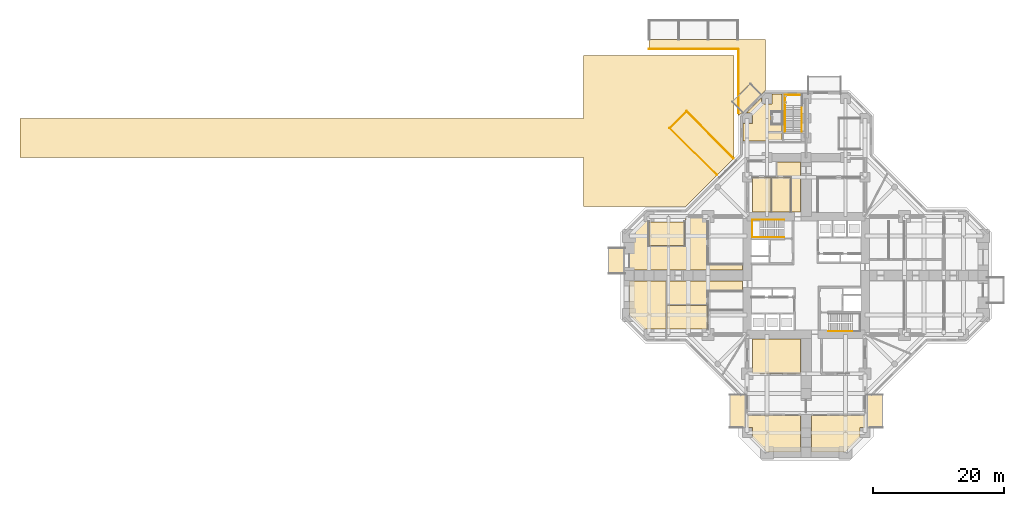
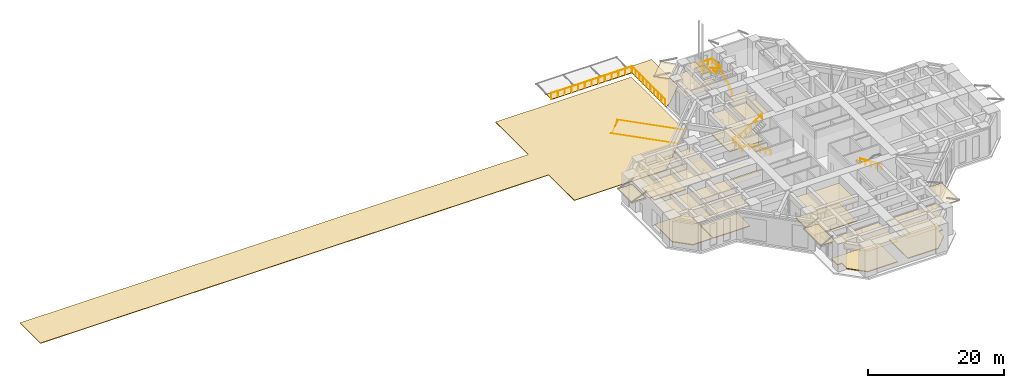
# One storey, part 12 of 14: 30 coverings, 6 railings.
"""IFC4 building model written with IfcOpenShell, lengths in metres."""

import ifcopenshell
import ifcopenshell.guid

model = None  # the IFC model being written
_history = None  # IfcOwnerHistory: only IFC2X3 demands one
_inside = {}  # id of a spatial element -> (the spatial element, [elements in it])
_under = {}  # id of a project, library or spatial element -> (it, [spatial elements below it])
_declared = {}  # id of a project -> (the project, [libraries it declares])
_typed = {}  # id of a type object -> (the type object, [elements of that type])
_made_of = {}  # id of a material, layer set ... -> (it, [elements and type objects made of it])


def new_model(schema):
    """Start an empty IFC model of exactly this schema.

    Asked for "IFC4X3", IfcOpenShell would pick the latest addendum, in which some entities
    have other attributes; the version numbers below select the first issue.
    IFC2X3 requires an IfcOwnerHistory on every rooted entity: one is made here for all.
    """
    global model, _history
    if schema == "IFC4X3":
        model = ifcopenshell.file(schema_version=(4, 3, 0, 0))
    else:
        model = ifcopenshell.file(schema=schema)
    _inside.clear()
    _under.clear()
    _declared.clear()
    _typed.clear()
    _made_of.clear()
    _history = None
    if model.schema == "IFC2X3":
        org = make("IfcOrganization", Name="unknown")
        user = make(
            "IfcPersonAndOrganization",
            ThePerson=make("IfcPerson", FamilyName="unknown"),
            TheOrganization=org,
        )
        app = make(
            "IfcApplication",
            ApplicationDeveloper=org,
            Version="unknown",
            ApplicationFullName="unknown",
            ApplicationIdentifier="unknown",
        )
        _history = make(
            "IfcOwnerHistory",
            OwningUser=user,
            OwningApplication=app,
            ChangeAction="ADDED",
            CreationDate=0,
        )
    return model


def make(cls, **values):
    """One entity of the class cls with the attributes given. An attribute that is None is left unset."""
    return model.create_entity(
        cls, **{name: value for name, value in values.items() if value is not None}
    )


def rooted(cls, **values):
    """An entity with a GlobalId (a new one), such as an element, a storey or a relation."""
    return make(cls, GlobalId=ifcopenshell.guid.new(), OwnerHistory=_history, **values)


def si_unit(unit_type, name, prefix=None):
    """IfcSIUnit, for example si_unit("LENGTHUNIT", "METRE", prefix="MILLI")."""
    return make("IfcSIUnit", UnitType=unit_type, Prefix=prefix, Name=name)


def assignment(units):
    """IfcUnitAssignment: the units of a project."""
    return None if units is None else make("IfcUnitAssignment", Units=units)


def point(xyz):
    """IfcCartesianPoint."""
    return None if xyz is None else make("IfcCartesianPoint", Coordinates=xyz)


def direction(xyz):
    """IfcDirection."""
    return None if xyz is None else make("IfcDirection", DirectionRatios=xyz)


def frame(location, z_axis=None, x_axis=None):
    """IfcAxis2Placement3D, a coordinate frame: its origin and axes. An axis left out is left unset."""
    return make(
        "IfcAxis2Placement3D",
        Location=point(location),
        Axis=direction(z_axis),
        RefDirection=direction(x_axis),
    )


def frame_2d(location, x_axis=None):
    """IfcAxis2Placement2D, a coordinate frame in the plane: its origin and x axis."""
    return make(
        "IfcAxis2Placement2D", Location=point(location), RefDirection=direction(x_axis)
    )


def origin():
    """The frame at (0, 0, 0) with its axes left unset."""
    return frame((0.0, 0.0, 0.0))


def origin_2d():
    """The frame at (0, 0) in the plane with its x axis left unset."""
    return frame_2d((0.0, 0.0))


def place(relative_to, where):
    """IfcLocalPlacement: puts the frame where relative to a parent placement (None: the world)."""
    return make(
        "IfcLocalPlacement", PlacementRelTo=relative_to, RelativePlacement=where
    )


def context(
    kind, dimensions, precision=None, world=None, true_north=None, identifier=None
):
    """IfcGeometricRepresentationContext, for example the 3D "Model" context."""
    return make(
        "IfcGeometricRepresentationContext",
        ContextIdentifier=identifier,
        ContextType=kind,
        CoordinateSpaceDimension=dimensions,
        Precision=precision,
        WorldCoordinateSystem=world,
        TrueNorth=true_north,
    )


def subcontext(parent, identifier, kind, view, scale=None):
    """IfcGeometricRepresentationSubContext, for example "Body" below "Model"."""
    return make(
        "IfcGeometricRepresentationSubContext",
        ContextIdentifier=identifier,
        ContextType=kind,
        ParentContext=parent,
        TargetScale=scale,
        TargetView=view,
    )


def project(units=None, contexts=None):
    """IfcProject with its units and contexts."""
    return rooted(
        "IfcProject",
        Name="project",
        RepresentationContexts=contexts,
        UnitsInContext=assignment(units),
    )


def spatial(cls, under=None, at=None, **own):
    """A site, building, storey or space (cls), placed at a placement, below another one or the project."""
    s = rooted(cls, ObjectPlacement=at, **own)
    if under is not None:
        _under.setdefault(under.id(), (under, []))[1].append(s)
    return s


def polyline(points):
    """IfcPolyline through the points."""
    return make("IfcPolyline", Points=[point(p) for p in points])


def profile(cls, at=None, kind="AREA", **sizes):
    """A parametric profile (cls). Its sizes go by their IFC names, for example OverallWidth=200.0."""
    return make(cls, ProfileType=kind, Position=at, **sizes)


def rectangle(**sizes):
    """IfcRectangleProfileDef."""
    return profile("IfcRectangleProfileDef", **sizes)


def circle(**sizes):
    """IfcCircleProfileDef."""
    return profile("IfcCircleProfileDef", **sizes)


def outline(outer, holes=None, kind="AREA"):
    """IfcArbitraryClosedProfileDef: a profile drawn as a closed curve; with holes, ...WithVoids."""
    if holes is None:
        return make("IfcArbitraryClosedProfileDef", ProfileType=kind, OuterCurve=outer)
    return make(
        "IfcArbitraryProfileDefWithVoids",
        ProfileType=kind,
        OuterCurve=outer,
        InnerCurves=holes,
    )


def extrude(swept, where, along, depth):
    """IfcExtrudedAreaSolid: the profile swept, set in the frame where, extruded along a direction by depth."""
    return make(
        "IfcExtrudedAreaSolid",
        SweptArea=swept,
        Position=where,
        ExtrudedDirection=direction(along),
        Depth=depth,
    )


def shape(context_of_items, identifier, shape_type, items):
    """IfcShapeRepresentation: the items that make up one representation, for example the "Body"."""
    return make(
        "IfcShapeRepresentation",
        ContextOfItems=context_of_items,
        RepresentationIdentifier=identifier,
        RepresentationType=shape_type,
        Items=items,
    )


def material(Name=None, Category=None):
    """IfcMaterial."""
    return make("IfcMaterial", Name=Name, Category=Category)


def layer(
    of_material, thickness, ventilated=None, Name=None, Category=None, Priority=None
):
    """IfcMaterialLayer: one layer of a wall or slab, of a material (None: an air gap)."""
    return make(
        "IfcMaterialLayer",
        Material=of_material,
        LayerThickness=thickness,
        IsVentilated=ventilated,
        Name=Name,
        Category=Category,
        Priority=Priority,
    )


def layer_set(layers, Name=None):
    """IfcMaterialLayerSet."""
    return make("IfcMaterialLayerSet", MaterialLayers=layers, LayerSetName=Name)


def constituent(of_material, Name=None, Category=None, fraction=None):
    """IfcMaterialConstituent: one of the materials an element consists of."""
    return make(
        "IfcMaterialConstituent",
        Name=Name,
        Material=of_material,
        Fraction=fraction,
        Category=Category,
    )


def constituent_set(constituents=None, Name=None):
    """IfcMaterialConstituentSet."""
    return make(
        "IfcMaterialConstituentSet", Name=Name, MaterialConstituents=constituents
    )


def made_of(thing, what):
    """Note that an element or type object is made of a material, layer set ...; save() writes the relation."""
    if what is not None:
        _made_of.setdefault(what.id(), (what, []))[1].append(thing)
    return thing


def type_object(cls, material=None, **own):
    """A type object (cls), such as IfcWallType, which elements share."""
    return made_of(rooted(cls, **own), material)


def element(
    cls,
    number,
    at=None,
    inside=None,
    cuts=None,
    type_object=None,
    material=None,
    context=None,
    identifier="Body",
    shape_type=None,
    held_by="IfcProductDefinitionShape",
    body=None,
    shapes=None,
    **own,
):
    """One element of the class cls, such as IfcWall. Its Tag is "e" and its number.

    at: its placement. inside: the storey or other place that contains it. cuts: it is an
    opening in that element (IfcRelVoidsElement). A single representation is given by context,
    identifier, shape_type and body (its items); several are given by shapes. held_by: the class
    of the entity that holds the representations. save() writes the other relations.
    """
    e = rooted(cls, Tag="e%d" % number, ObjectPlacement=at, **own)
    if body is not None:
        shapes = [shape(context, identifier, shape_type, body)]
    if shapes is not None:
        e.Representation = make(held_by, Representations=shapes)
    if inside is not None:
        _inside.setdefault(inside.id(), (inside, []))[1].append(e)
    if cuts is not None:
        rooted(
            "IfcRelVoidsElement", RelatingBuildingElement=cuts, RelatedOpeningElement=e
        )
    if type_object is not None:
        _typed.setdefault(type_object.id(), (type_object, []))[1].append(e)
    return made_of(e, material)


def aggregate(whole, parts):
    """IfcRelAggregates: a whole, such as a stair, and the parts it consists of."""
    return rooted("IfcRelAggregates", RelatingObject=whole, RelatedObjects=parts)


def save(model, path):
    """Write the relations noted so far, then the file.

    IfcRelAggregates (storeys below a building ...), IfcRelContainedInSpatialStructure (elements
    in a storey), IfcRelDefinesByType, IfcRelAssociatesMaterial and IfcRelDeclares: one each for
    every whole, place, type object, material and project.
    """
    for whole, parts in _under.values():
        aggregate(whole, parts)
    for where, things in _inside.values():
        rooted(
            "IfcRelContainedInSpatialStructure",
            RelatedElements=things,
            RelatingStructure=where,
        )
    for kind, things in _typed.values():
        rooted("IfcRelDefinesByType", RelatedObjects=things, RelatingType=kind)
    for what, things in _made_of.values():
        rooted("IfcRelAssociatesMaterial", RelatedObjects=things, RelatingMaterial=what)
    for by, libraries in _declared.values():
        rooted("IfcRelDeclares", RelatingContext=by, RelatedDefinitions=libraries)
    model.write(path)


model = new_model("IFC4")

# Units and contexts
model_context = context("Model", 3, precision=1e-05, world=origin(), true_north=direction((0.0, 1.0)))
body_context = subcontext(model_context, "Body", "Model", "MODEL_VIEW")
ifc_project = project(units=[si_unit("LENGTHUNIT", "METRE"), si_unit("AREAUNIT", "SQUARE_METRE"), si_unit("VOLUMEUNIT", "CUBIC_METRE"), si_unit("PLANEANGLEUNIT", "RADIAN"), si_unit("MASSUNIT", "GRAM", prefix="KILO")], contexts=[model_context])

# Site, building, storey
site_placement = place(None, origin())
site = spatial("IfcSite", under=ifc_project, at=site_placement, CompositionType="ELEMENT")
building_placement = place(site_placement, origin())
building = spatial("IfcBuilding", under=site, at=building_placement, Name="Torre Cruceta", CompositionType="ELEMENT")
storey_placement = place(building_placement, origin())
storey = spatial("IfcBuildingStorey", under=building, at=storey_placement, Name="L00", CompositionType="ELEMENT", Elevation=0.0)

# Coverings
ifc_material_1 = material(Name="Laminated safety glass", Category="glass")
ifc_layer_1 = layer(ifc_material_1, 0.02001953125)
ifc_layer_set_1 = layer_set([ifc_layer_1], Name="Laminated safety glass")
covering_type_1 = type_object("IfcCoveringType", Name="CANOPY GLASS DECK 20", PredefinedType="ROOFING", material=ifc_layer_set_1)
covering_1_placement = place(storey_placement, frame((-9.06982421875, 27.06982421875, 4.5), z_axis=(0.0, 0.0, 1.0), x_axis=(-0.707106781187, -0.707106781187, 0.0)))
element("IfcCovering", 1, at=covering_1_placement, inside=storey, type_object=covering_type_1, Name="CN3 canopy 2 glass deck", PredefinedType="ROOFING", context=body_context, shape_type="SweptSolid", body=[
    extrude(rectangle(XDim=4.0, YDim=2.39990234375, at=origin_2d()), origin(), (0.0, 0.0, 1.0), 0.02001953125),
])
for number, where, z_axis, x_axis, name in (
    (2, (10.5, -20.699951171875, 4.5), (0.0, 0.0, 1.0), (0.0, -1.0, 0.0), "CN3 canopy 3 glass deck"),
    (3, (-10.5, -20.699951171875, 4.5), (0.0, 0.0, 1.0), (0.0, 1.0, 0.0), "CN3 canopy 4 glass deck"),
):
    element("IfcCovering", number, at=place(storey_placement, frame(where, z_axis=z_axis, x_axis=x_axis)), inside=storey, type_object=covering_type_1, Name=name, PredefinedType="ROOFING", context=body_context, shape_type="SweptSolid", body=[
        extrude(rectangle(XDim=5.10009765625, YDim=2.39990234375, at=origin_2d()), origin(), (0.0, 0.0, 1.0), 0.02001953125),
    ])
covering_2_placement = place(storey_placement, frame((-29.0, 2.25, 4.5), z_axis=(0.0, 0.0, 1.0), x_axis=(0.0, -1.0, 0.0)))
element("IfcCovering", 4, at=covering_2_placement, inside=storey, type_object=covering_type_1, Name="CN3 canopy 6 glass deck", PredefinedType="ROOFING", context=body_context, shape_type="SweptSolid", body=[
    extrude(rectangle(XDim=4.0, YDim=2.39990234375, at=origin_2d()), origin(), (0.0, 0.0, 1.0), 0.02001953125),
])

# Railing
ifc_material_2 = material(Name="Steel S275", Category="steel")
railing_type_1 = type_object("IfcRailingType", Name="DROP-OFF GUARD 1100", PredefinedType="GUARDRAIL", material=ifc_material_2)
railing_1_placement = place(storey_placement, frame((-24.0, 34.550048828125, 0.0)))
element("IfcRailing", 5, at=railing_1_placement, inside=storey, type_object=railing_type_1, Name="School drop-off guard GR3 1", PredefinedType="GUARDRAIL", context=body_context, shape_type="SweptSolid", body=[
    extrude(circle(Radius=0.02392578125, at=origin_2d()), frame((0.0, 0.0, 1.076171875), z_axis=(1.0, 0.0, 0.0), x_axis=(0.0, 1.0, 0.0)), (0.0, 0.0, 1.0), 13.64990234375),
    extrude(circle(Radius=0.02392578125, at=origin_2d()), frame((13.64990234375, 0.0, 1.076171875), z_axis=(0.0, -1.0, 0.0), x_axis=(1.0, 0.0, 0.0)), (0.0, 0.0, 1.0), 9.75),
    extrude(circle(Radius=0.02099609375, at=origin_2d()), origin(), (0.0, 0.0, 1.0), 1.052001953125),
    extrude(circle(Radius=0.02099609375, at=origin_2d()), frame((1.137451171875, 0.0, 0.0)), (0.0, 0.0, 1.0), 1.052001953125),
    extrude(circle(Radius=0.02099609375, at=origin_2d()), frame((2.27490234375, 0.0, 0.0)), (0.0, 0.0, 1.0), 1.052001953125),
    extrude(circle(Radius=0.02099609375, at=origin_2d()), frame((3.41259765625, 0.0, 0.0)), (0.0, 0.0, 1.0), 1.052001953125),
    extrude(circle(Radius=0.02099609375, at=origin_2d()), frame((4.550048828125, 0.0, 0.0)), (0.0, 0.0, 1.0), 1.052001953125),
    extrude(circle(Radius=0.02099609375, at=origin_2d()), frame((5.6875, 0.0, 0.0)), (0.0, 0.0, 1.0), 1.052001953125),
    extrude(circle(Radius=0.02099609375, at=origin_2d()), frame((6.824951171875, 0.0, 0.0)), (0.0, 0.0, 1.0), 1.052001953125),
    extrude(circle(Radius=0.02099609375, at=origin_2d()), frame((7.96240234375, 0.0, 0.0)), (0.0, 0.0, 1.0), 1.052001953125),
    extrude(circle(Radius=0.02099609375, at=origin_2d()), frame((9.099853515625, 0.0, 0.0)), (0.0, 0.0, 1.0), 1.052001953125),
    extrude(circle(Radius=0.02099609375, at=origin_2d()), frame((10.2373046875, 0.0, 0.0)), (0.0, 0.0, 1.0), 1.052001953125),
    extrude(circle(Radius=0.02099609375, at=origin_2d()), frame((11.375, 0.0, 0.0)), (0.0, 0.0, 1.0), 1.052001953125),
    extrude(circle(Radius=0.02099609375, at=origin_2d()), frame((12.512451171875, 0.0, 0.0)), (0.0, 0.0, 1.0), 1.052001953125),
    extrude(circle(Radius=0.02099609375, at=origin_2d()), frame((13.64990234375, 0.0, 0.0)), (0.0, 0.0, 1.0), 1.052001953125),
    extrude(circle(Radius=0.02099609375, at=origin_2d()), frame((13.64990234375, -1.083251953125, 0.0)), (0.0, 0.0, 1.0), 1.052001953125),
    extrude(circle(Radius=0.02099609375, at=origin_2d()), frame((13.64990234375, -2.166748046875, 0.0)), (0.0, 0.0, 1.0), 1.052001953125),
    extrude(circle(Radius=0.02099609375, at=origin_2d()), frame((13.64990234375, -3.25, 0.0)), (0.0, 0.0, 1.0), 1.052001953125),
    extrude(circle(Radius=0.02099609375, at=origin_2d()), frame((13.64990234375, -4.333251953125, 0.0)), (0.0, 0.0, 1.0), 1.052001953125),
    extrude(circle(Radius=0.02099609375, at=origin_2d()), frame((13.64990234375, -5.416748046875, 0.0)), (0.0, 0.0, 1.0), 1.052001953125),
    extrude(circle(Radius=0.02099609375, at=origin_2d()), frame((13.64990234375, -6.5, 0.0)), (0.0, 0.0, 1.0), 1.052001953125),
    extrude(circle(Radius=0.02099609375, at=origin_2d()), frame((13.64990234375, -7.583251953125, 0.0)), (0.0, 0.0, 1.0), 1.052001953125),
    extrude(circle(Radius=0.02099609375, at=origin_2d()), frame((13.64990234375, -8.666748046875, 0.0)), (0.0, 0.0, 1.0), 1.052001953125),
    extrude(circle(Radius=0.02099609375, at=origin_2d()), frame((13.64990234375, -9.75, 0.0)), (0.0, 0.0, 1.0), 1.052001953125),
])

# Coverings
ifc_material_3 = material(Name="Concrete block paving", Category="concrete")
ifc_layer_2 = layer(ifc_material_3, 0.10009765625)
ifc_layer_set_2 = layer_set([ifc_layer_2], Name="Concrete block paving")
covering_type_2 = type_object("IfcCoveringType", Name="EXTERNAL PAVING 100", PredefinedType="USERDEFINED", material=ifc_layer_set_2)
covering_3_placement = place(storey_placement, frame((0.0, 0.0, -0.10009765625)))
element("IfcCovering", 6, at=covering_3_placement, inside=storey, type_object=covering_type_2, Name="School drop-off footpath", ObjectType="PAVING", PredefinedType="USERDEFINED", context=body_context, shape_type="SweptSolid", body=[
    extrude(outline(polyline([(-9.281982421875, 25.16064453125), (-7.16064453125, 27.281982421875), (-6.199951171875, 28.25), (-6.199951171875, 36.0), (-24.0, 36.0), (-24.0, 34.5), (-10.39990234375, 34.5), (-10.39990234375, 24.39990234375), (-9.281982421875, 25.16064453125)])), origin(), (0.0, 0.0, 1.0), 0.10009765625),
])
covering_4_placement = place(storey_placement, frame((0.0, 0.0, -0.10009765625)))
element("IfcCovering", 7, at=covering_4_placement, inside=storey, type_object=covering_type_2, Name="Loading bay paving", ObjectType="PAVING", PredefinedType="USERDEFINED", context=body_context, shape_type="SweptSolid", body=[
    extrude(outline(polyline([(-11.039306640625, 17.898193359375), (-13.655517578125, 15.281982421875), (-20.8681640625, 22.494384765625), (-18.251708984375, 25.110595703125), (-11.039306640625, 17.898193359375)])), origin(), (0.0, 0.0, 1.0), 0.10009765625),
])
covering_5_placement = place(storey_placement, frame((0.0, 0.0, -0.10009765625)))
element("IfcCovering", 8, at=covering_5_placement, inside=storey, type_object=covering_type_2, Name="Service yard and road from the west avenue", ObjectType="PAVING", PredefinedType="USERDEFINED", context=body_context, shape_type="SweptSolid", body=[
    extrude(outline(polyline([(-11.0, 17.92333984375), (-18.42333984375, 10.5), (-34.0, 10.5), (-34.0, 18.0), (-120.0, 18.0), (-120.0, 24.0), (-34.0, 24.0), (-34.0, 33.60009765625), (-11.0, 33.60009765625), (-11.0, 17.92333984375)])), origin(), (0.0, 0.0, 1.0), 0.10009765625),
])

# Railings
ifc_material_4 = material(Name="Stainless steel 1.4401", Category="steel")
railing_type_2 = type_object("IfcRailingType", Name="HANDRAIL 900", PredefinedType="HANDRAIL", material=ifc_material_4)
railing_2_placement = place(storey_placement, frame((-3.39990234375, 5.8349609375, 0.178466796875)))
element("IfcRailing", 9, at=railing_2_placement, inside=storey, type_object=railing_type_2, Name="Handrail HR1 ST1 L00", PredefinedType="HANDRAIL", context=body_context, shape_type="SweptSolid", body=[
    extrude(circle(Radius=0.02392578125, at=origin_2d()), frame((0.0, 0.0, 0.8759765625), z_axis=(-0.843127859045, 0.0, 0.537713132908), x_axis=(0.0, -1.0, 0.0)), (0.0, 0.0, 1.0), 4.3173828125),
    extrude(circle(Radius=0.02392578125, at=origin_2d()), frame((-3.64013671875, 0.0, 3.197265625), z_axis=(-1.0, 0.0, 0.0), x_axis=(0.0, -1.0, 0.0)), (0.0, 0.0, 1.0), 1.199951171875),
    extrude(circle(Radius=0.02392578125, at=origin_2d()), frame((-4.840087890625, 0.0, 3.197265625), z_axis=(0.0, 1.0, 0.0), x_axis=(-1.0, 0.0, 0.0)), (0.0, 0.0, 1.0), 2.679931640625),
    extrude(circle(Radius=0.02392578125, at=origin_2d()), frame((-4.840087890625, 2.679931640625, 3.197265625), z_axis=(1.0, 0.0, 0.0), x_axis=(0.0, 1.0, 0.0)), (0.0, 0.0, 1.0), 1.199951171875),
    extrude(circle(Radius=0.02099609375, at=origin_2d()), origin(), (0.0, 0.0, 1.0), 0.851806640625),
    extrude(circle(Radius=0.02099609375, at=origin_2d()), frame((-0.91015625, 0.0, 0.580322265625)), (0.0, 0.0, 1.0), 0.851806640625),
    extrude(circle(Radius=0.02099609375, at=origin_2d()), frame((-1.820068359375, 0.0, 1.16064453125)), (0.0, 0.0, 1.0), 0.851806640625),
    extrude(circle(Radius=0.02099609375, at=origin_2d()), frame((-2.72998046875, 0.0, 1.7412109375)), (0.0, 0.0, 1.0), 0.851806640625),
    extrude(circle(Radius=0.02099609375, at=origin_2d()), frame((-3.64013671875, 0.0, 2.321533203125)), (0.0, 0.0, 1.0), 0.851806640625),
    extrude(circle(Radius=0.02099609375, at=origin_2d()), frame((-4.840087890625, 0.0, 2.321533203125)), (0.0, 0.0, 1.0), 0.851806640625),
    extrude(circle(Radius=0.02099609375, at=origin_2d()), frame((-4.840087890625, 0.893310546875, 2.321533203125)), (0.0, 0.0, 1.0), 0.851806640625),
    extrude(circle(Radius=0.02099609375, at=origin_2d()), frame((-4.840087890625, 1.78662109375, 2.321533203125)), (0.0, 0.0, 1.0), 0.851806640625),
    extrude(circle(Radius=0.02099609375, at=origin_2d()), frame((-4.840087890625, 2.679931640625, 2.321533203125)), (0.0, 0.0, 1.0), 0.851806640625),
    extrude(circle(Radius=0.02099609375, at=origin_2d()), frame((-3.64013671875, 2.679931640625, 2.321533203125)), (0.0, 0.0, 1.0), 0.851806640625),
])
railing_3_placement = place(storey_placement, frame((-7.0400390625, 8.514892578125, 2.678466796875)))
element("IfcRailing", 10, at=railing_3_placement, inside=storey, type_object=railing_type_2, Name="Handrail HR1 ST1 L00", PredefinedType="HANDRAIL", context=body_context, shape_type="SweptSolid", body=[
    extrude(circle(Radius=0.02392578125, at=origin_2d()), frame((0.0, 0.0, 0.8759765625), z_axis=(0.843127859045, 0.0, 0.537713132908), x_axis=(0.0, 1.0, 0.0)), (0.0, 0.0, 1.0), 4.3173828125),
    extrude(circle(Radius=0.02099609375, at=origin_2d()), origin(), (0.0, 0.0, 1.0), 0.851806640625),
    extrude(circle(Radius=0.02099609375, at=origin_2d()), frame((0.91015625, 0.0, 0.580322265625)), (0.0, 0.0, 1.0), 0.851806640625),
    extrude(circle(Radius=0.02099609375, at=origin_2d()), frame((1.820068359375, 0.0, 1.16064453125)), (0.0, 0.0, 1.0), 0.851806640625),
    extrude(circle(Radius=0.02099609375, at=origin_2d()), frame((2.72998046875, 0.0, 1.7412109375)), (0.0, 0.0, 1.0), 0.851806640625),
    extrude(circle(Radius=0.02099609375, at=origin_2d()), frame((3.64013671875, 0.0, 2.321533203125)), (0.0, 0.0, 1.0), 0.851806640625),
])
railing_4_placement = place(storey_placement, frame((7.0400390625, -8.514892578125, 2.678466796875)))
element("IfcRailing", 11, at=railing_4_placement, inside=storey, type_object=railing_type_2, Name="Handrail HR1 ST2 L00", PredefinedType="HANDRAIL", context=body_context, shape_type="SweptSolid", body=[
    extrude(circle(Radius=0.02392578125, at=origin_2d()), frame((0.0, 0.0, 0.8759765625), z_axis=(-0.843127859045, 0.0, 0.537713132908), x_axis=(0.0, -1.0, 0.0)), (0.0, 0.0, 1.0), 4.3173828125),
    extrude(circle(Radius=0.02099609375, at=origin_2d()), origin(), (0.0, 0.0, 1.0), 0.851806640625),
    extrude(circle(Radius=0.02099609375, at=origin_2d()), frame((-0.91015625, 0.0, 0.580322265625)), (0.0, 0.0, 1.0), 0.851806640625),
    extrude(circle(Radius=0.02099609375, at=origin_2d()), frame((-1.820068359375, 0.0, 1.16064453125)), (0.0, 0.0, 1.0), 0.851806640625),
    extrude(circle(Radius=0.02099609375, at=origin_2d()), frame((-2.72998046875, 0.0, 1.7412109375)), (0.0, 0.0, 1.0), 0.851806640625),
    extrude(circle(Radius=0.02099609375, at=origin_2d()), frame((-3.64013671875, 0.0, 2.321533203125)), (0.0, 0.0, 1.0), 0.851806640625),
])
railing_5_placement = place(storey_placement, frame((-0.659912109375, 22.0, 0.166748046875)))
element("IfcRailing", 12, at=railing_5_placement, inside=storey, type_object=railing_type_2, Name="Handrail HR1 ST3 L00", PredefinedType="HANDRAIL", context=body_context, shape_type="SweptSolid", body=[
    extrude(circle(Radius=0.02392578125, at=origin_2d()), frame((0.0, 0.0, 0.8759765625), z_axis=(0.0, 0.859296244711, 0.511478214419), x_axis=(-1.0, 0.0, 0.0)), (0.0, 0.0, 1.0), 4.561767578125),
    extrude(circle(Radius=0.02392578125, at=origin_2d()), frame((0.0, 3.919921875, 3.208984375), z_axis=(0.0, 1.0, 0.0), x_axis=(-1.0, 0.0, 0.0)), (0.0, 0.0, 1.0), 1.64013671875),
    extrude(circle(Radius=0.02392578125, at=origin_2d()), frame((0.0, 5.56005859375, 3.208984375), z_axis=(-1.0, 0.0, 0.0), x_axis=(0.0, -1.0, 0.0)), (0.0, 0.0, 1.0), 2.580078125),
    extrude(circle(Radius=0.02392578125, at=origin_2d()), frame((-2.580078125, 5.56005859375, 3.208984375), z_axis=(0.0, -1.0, 0.0), x_axis=(1.0, 0.0, 0.0)), (0.0, 0.0, 1.0), 1.64013671875),
    extrude(circle(Radius=0.02099609375, at=origin_2d()), origin(), (0.0, 0.0, 1.0), 0.851806640625),
    extrude(circle(Radius=0.02099609375, at=origin_2d()), frame((0.0, 0.97998046875, 0.583251953125)), (0.0, 0.0, 1.0), 0.851806640625),
    extrude(circle(Radius=0.02099609375, at=origin_2d()), frame((0.0, 1.9599609375, 1.16650390625)), (0.0, 0.0, 1.0), 0.851806640625),
    extrude(circle(Radius=0.02099609375, at=origin_2d()), frame((0.0, 2.93994140625, 1.75)), (0.0, 0.0, 1.0), 0.851806640625),
    extrude(circle(Radius=0.02099609375, at=origin_2d()), frame((0.0, 3.919921875, 2.333251953125)), (0.0, 0.0, 1.0), 0.851806640625),
    extrude(circle(Radius=0.02099609375, at=origin_2d()), frame((0.0, 4.739990234375, 2.333251953125)), (0.0, 0.0, 1.0), 0.851806640625),
    extrude(circle(Radius=0.02099609375, at=origin_2d()), frame((0.0, 5.56005859375, 2.333251953125)), (0.0, 0.0, 1.0), 0.851806640625),
    extrude(circle(Radius=0.02099609375, at=origin_2d()), frame((-0.860107421875, 5.56005859375, 2.333251953125)), (0.0, 0.0, 1.0), 0.851806640625),
    extrude(circle(Radius=0.02099609375, at=origin_2d()), frame((-1.719970703125, 5.56005859375, 2.333251953125)), (0.0, 0.0, 1.0), 0.851806640625),
    extrude(circle(Radius=0.02099609375, at=origin_2d()), frame((-2.580078125, 5.56005859375, 2.333251953125)), (0.0, 0.0, 1.0), 0.851806640625),
    extrude(circle(Radius=0.02099609375, at=origin_2d()), frame((-2.580078125, 4.739990234375, 2.333251953125)), (0.0, 0.0, 1.0), 0.851806640625),
    extrude(circle(Radius=0.02099609375, at=origin_2d()), frame((-2.580078125, 3.919921875, 2.333251953125)), (0.0, 0.0, 1.0), 0.851806640625),
])
railing_6_placement = place(storey_placement, frame((-3.239990234375, 25.919921875, 2.666748046875)))
element("IfcRailing", 13, at=railing_6_placement, inside=storey, type_object=railing_type_2, Name="Handrail HR1 ST3 L00", PredefinedType="HANDRAIL", context=body_context, shape_type="SweptSolid", body=[
    extrude(circle(Radius=0.02392578125, at=origin_2d()), frame((0.0, 0.0, 0.8759765625), z_axis=(0.0, -0.859296244711, 0.511478214419), x_axis=(1.0, 0.0, 0.0)), (0.0, 0.0, 1.0), 4.561767578125),
    extrude(circle(Radius=0.02099609375, at=origin_2d()), origin(), (0.0, 0.0, 1.0), 0.851806640625),
    extrude(circle(Radius=0.02099609375, at=origin_2d()), frame((0.0, -0.97998046875, 0.583251953125)), (0.0, 0.0, 1.0), 0.851806640625),
    extrude(circle(Radius=0.02099609375, at=origin_2d()), frame((0.0, -1.9599609375, 1.16650390625)), (0.0, 0.0, 1.0), 0.851806640625),
    extrude(circle(Radius=0.02099609375, at=origin_2d()), frame((0.0, -2.93994140625, 1.75)), (0.0, 0.0, 1.0), 0.851806640625),
    extrude(circle(Radius=0.02099609375, at=origin_2d()), frame((0.0, -3.919921875, 2.333251953125)), (0.0, 0.0, 1.0), 0.851806640625),
])

# Coverings
ifc_material_5 = material(Name="Steel DX51D", Category="steel")
ifc_constituent_1 = constituent(ifc_material_5, Name="Panel casing")
ifc_material_6 = material(Name="Calcium sulphate", Category="gypsum")
ifc_constituent_2 = constituent(ifc_material_6, Name="Panel core")
ifc_constituent_set = constituent_set(constituents=[ifc_constituent_1, ifc_constituent_2], Name="Raised access floor panel")
covering_type_3 = type_object("IfcCoveringType", Name="RAISED ACCESS FLOOR 150", PredefinedType="FLOORING", material=ifc_constituent_set)
covering_6_placement = place(storey_placement, origin())
element("IfcCovering", 14, at=covering_6_placement, inside=storey, type_object=covering_type_3, Name="Raised floor L00-023", PredefinedType="FLOORING", context=body_context, shape_type="SweptSolid", body=[
    extrude(outline(polyline([(-2.425048828125, 9.699951171875), (-5.262451171875, 9.699951171875), (-5.262451171875, 14.949951171875), (-2.425048828125, 14.949951171875), (-2.425048828125, 9.699951171875)])), origin(), (0.0, 0.0, 1.0), 0.14990234375),
])
covering_7_placement = place(storey_placement, origin())
element("IfcCovering", 15, at=covering_7_placement, inside=storey, type_object=covering_type_3, Name="Raised floor L00-024", PredefinedType="FLOORING", context=body_context, shape_type="SweptSolid", body=[
    extrude(outline(polyline([(-5.362548828125, 9.699951171875), (-8.199951171875, 9.699951171875), (-8.199951171875, 14.949951171875), (-5.362548828125, 14.949951171875), (-5.362548828125, 9.699951171875)])), origin(), (0.0, 0.0, 1.0), 0.14990234375),
])
covering_8_placement = place(storey_placement, origin())
element("IfcCovering", 16, at=covering_8_placement, inside=storey, type_object=covering_type_3, Name="Raised floor L00-042", PredefinedType="FLOORING", context=body_context, shape_type="SweptSolid", body=[
    extrude(outline(polyline([(-8.199951171875, -9.699951171875), (-0.85009765625, -9.699951171875), (-0.85009765625, -14.949951171875), (-8.199951171875, -14.949951171875), (-8.199951171875, -9.699951171875)])), origin(), (0.0, 0.0, 1.0), 0.14990234375),
])
covering_9_placement = place(storey_placement, origin())
element("IfcCovering", 17, at=covering_9_placement, inside=storey, type_object=covering_type_3, Name="Raised floor L00-044", PredefinedType="FLOORING", context=body_context, shape_type="SweptSolid", body=[
    extrude(outline(polyline([(8.949951171875, -21.3701171875), (8.949951171875, -23.199951171875), (8.199951171875, -23.199951171875), (8.199951171875, -24.729248046875), (5.979248046875, -26.949951171875), (0.85009765625, -26.949951171875), (0.85009765625, -21.3701171875), (8.949951171875, -21.3701171875)])), origin(), (0.0, 0.0, 1.0), 0.14990234375),
])
covering_10_placement = place(storey_placement, origin())
element("IfcCovering", 18, at=covering_10_placement, inside=storey, type_object=covering_type_3, Name="Raised floor L00-045", PredefinedType="FLOORING", context=body_context, shape_type="SweptSolid", body=[
    extrude(outline(polyline([(-8.199951171875, -23.199951171875), (-8.949951171875, -23.199951171875), (-8.949951171875, -21.3701171875), (-0.85009765625, -21.3701171875), (-0.85009765625, -26.949951171875), (-5.979248046875, -26.949951171875), (-8.199951171875, -24.729248046875), (-8.199951171875, -23.199951171875)])), origin(), (0.0, 0.0, 1.0), 0.14990234375),
])
covering_11_placement = place(storey_placement, origin())
element("IfcCovering", 19, at=covering_11_placement, inside=storey, type_object=covering_type_3, Name="Raised floor L00-051", PredefinedType="FLOORING", context=body_context, shape_type="SweptSolid", body=[
    extrude(outline(polyline([(-26.949951171875, -0.85009765625), (-21.3701171875, -0.85009765625), (-21.3701171875, -8.199951171875), (-24.729248046875, -8.199951171875), (-26.949951171875, -5.979248046875), (-26.949951171875, -0.85009765625)])), origin(), (0.0, 0.0, 1.0), 0.14990234375),
])
covering_12_placement = place(storey_placement, origin())
element("IfcCovering", 20, at=covering_12_placement, inside=storey, type_object=covering_type_3, Name="Raised floor L00-052", PredefinedType="FLOORING", context=body_context, shape_type="SweptSolid", body=[
    extrude(outline(polyline([(-15.050048828125, -4.550048828125), (-15.050048828125, -8.199951171875), (-21.27001953125, -8.199951171875), (-21.27001953125, -4.550048828125), (-15.050048828125, -4.550048828125)])), origin(), (0.0, 0.0, 1.0), 0.14990234375),
])
covering_13_placement = place(storey_placement, origin())
element("IfcCovering", 21, at=covering_13_placement, inside=storey, type_object=covering_type_3, Name="Raised floor L00-053", PredefinedType="FLOORING", context=body_context, shape_type="SweptSolid", body=[
    extrude(outline(polyline([(-18.550048828125, 8.199951171875), (-18.550048828125, 4.550048828125), (-23.949951171875, 4.550048828125), (-23.949951171875, 8.199951171875), (-18.550048828125, 8.199951171875)])), origin(), (0.0, 0.0, 1.0), 0.14990234375),
])
ifc_material_7 = material(Name="Thermoplastic road marking", Category="plastic")
ifc_layer_3 = layer(ifc_material_7, 0.0048828125)
ifc_layer_set_3 = layer_set([ifc_layer_3], Name="Thermoplastic road marking")
covering_type_4 = type_object("IfcCoveringType", Name="ROAD MARKING 5", PredefinedType="USERDEFINED", material=ifc_layer_set_3)
covering_14_placement = place(storey_placement, origin())
element("IfcCovering", 22, at=covering_14_placement, inside=storey, type_object=covering_type_4, Name="Loading bay road marking 1", ObjectType="ROAD_MARKING", PredefinedType="USERDEFINED", context=body_context, shape_type="SweptSolid", body=[
    extrude(outline(polyline([(-11.039306640625, 17.898193359375), (-11.110107421875, 17.827392578125), (-18.322509765625, 25.0400390625), (-18.251708984375, 25.110595703125), (-11.039306640625, 17.898193359375)])), origin(), (0.0, 0.0, 1.0), 0.0048828125),
])
covering_15_placement = place(storey_placement, origin())
element("IfcCovering", 23, at=covering_15_placement, inside=storey, type_object=covering_type_4, Name="Loading bay road marking 2", ObjectType="ROAD_MARKING", PredefinedType="USERDEFINED", context=body_context, shape_type="SweptSolid", body=[
    extrude(outline(polyline([(-13.5849609375, 15.3525390625), (-13.655517578125, 15.281982421875), (-20.8681640625, 22.494384765625), (-20.79736328125, 22.565185546875), (-13.5849609375, 15.3525390625)])), origin(), (0.0, 0.0, 1.0), 0.0048828125),
])
covering_16_placement = place(storey_placement, origin())
element("IfcCovering", 24, at=covering_16_placement, inside=storey, type_object=covering_type_4, Name="Loading bay road marking 3", ObjectType="ROAD_MARKING", PredefinedType="USERDEFINED", context=body_context, shape_type="SweptSolid", body=[
    extrude(outline(polyline([(-18.251708984375, 24.96923828125), (-20.7265625, 22.494384765625), (-20.79736328125, 22.565185546875), (-18.322509765625, 25.0400390625), (-18.251708984375, 24.96923828125)])), origin(), (0.0, 0.0, 1.0), 0.0048828125),
])
ifc_material_8 = material(Name="Mineral fibre ceiling tile", Category="gypsum")
ifc_layer_4 = layer(ifc_material_8, 0.02001953125)
ifc_layer_set_4 = layer_set([ifc_layer_4], Name="Mineral fibre ceiling tile")
covering_type_5 = type_object("IfcCoveringType", Name="SUSPENDED CEILING 20", PredefinedType="CEILING", material=ifc_layer_set_4)
covering_17_placement = place(storey_placement, frame((0.0, 0.0, 3.72998046875)))
element("IfcCovering", 25, at=covering_17_placement, inside=storey, type_object=covering_type_5, Name="Ceiling L00-023", PredefinedType="CEILING", context=body_context, shape_type="SweptSolid", body=[
    extrude(outline(polyline([(-2.425048828125, 9.699951171875), (-5.262451171875, 9.699951171875), (-5.262451171875, 14.949951171875), (-2.425048828125, 14.949951171875), (-2.425048828125, 9.699951171875)])), origin(), (0.0, 0.0, 1.0), 0.02001953125),
])
covering_18_placement = place(storey_placement, frame((0.0, 0.0, 3.72998046875)))
element("IfcCovering", 26, at=covering_18_placement, inside=storey, type_object=covering_type_5, Name="Ceiling L00-024", PredefinedType="CEILING", context=body_context, shape_type="SweptSolid", body=[
    extrude(outline(polyline([(-5.362548828125, 9.699951171875), (-8.199951171875, 9.699951171875), (-8.199951171875, 14.949951171875), (-5.362548828125, 14.949951171875), (-5.362548828125, 9.699951171875)])), origin(), (0.0, 0.0, 1.0), 0.02001953125),
])
covering_19_placement = place(storey_placement, frame((0.0, 0.0, 3.72998046875)))
element("IfcCovering", 27, at=covering_19_placement, inside=storey, type_object=covering_type_5, Name="Ceiling L00-028", PredefinedType="CEILING", context=body_context, shape_type="SweptSolid", body=[
    extrude(outline(polyline([(-9.669921875, 23.195068359375), (-8.195068359375, 23.195068359375), (-8.195068359375, 24.804931640625), (-9.142578125, 24.804931640625), (-6.804931640625, 27.142578125), (-6.804931640625, 26.195068359375), (-5.195068359375, 26.195068359375), (-5.195068359375, 27.669921875), (-3.64990234375, 27.669921875), (-3.64990234375, 25.10009765625), (-5.35009765625, 25.10009765625), (-5.35009765625, 22.949951171875), (-3.64990234375, 22.949951171875), (-3.64990234375, 20.5), (-9.669921875, 20.5), (-9.669921875, 23.195068359375)])), origin(), (0.0, 0.0, 1.0), 0.02001953125),
])
covering_20_placement = place(storey_placement, frame((0.0, 0.0, 3.72998046875)))
element("IfcCovering", 28, at=covering_20_placement, inside=storey, type_object=covering_type_5, Name="Ceiling L00-032", PredefinedType="CEILING", context=body_context, shape_type="SweptSolid", body=[
    extrude(outline(polyline([(-2.324951171875, 9.699951171875), (-2.324951171875, 15.050048828125), (-4.449951171875, 15.050048828125), (-4.449951171875, 17.35009765625), (-0.85009765625, 17.35009765625), (-0.85009765625, 9.699951171875), (-2.324951171875, 9.699951171875)])), origin(), (0.0, 0.0, 1.0), 0.02001953125),
])
covering_21_placement = place(storey_placement, frame((0.0, 0.0, 3.72998046875)))
element("IfcCovering", 29, at=covering_21_placement, inside=storey, type_object=covering_type_5, Name="Ceiling L00-042", PredefinedType="CEILING", context=body_context, shape_type="SweptSolid", body=[
    extrude(outline(polyline([(-8.199951171875, -9.699951171875), (-0.85009765625, -9.699951171875), (-0.85009765625, -14.949951171875), (-8.199951171875, -14.949951171875), (-8.199951171875, -9.699951171875)])), origin(), (0.0, 0.0, 1.0), 0.02001953125),
])
covering_22_placement = place(storey_placement, frame((0.0, 0.0, 3.72998046875)))
element("IfcCovering", 30, at=covering_22_placement, inside=storey, type_object=covering_type_5, Name="Ceiling L00-044", PredefinedType="CEILING", context=body_context, shape_type="SweptSolid", body=[
    extrude(outline(polyline([(8.949951171875, -21.3701171875), (8.949951171875, -23.199951171875), (8.199951171875, -23.199951171875), (8.199951171875, -24.729248046875), (5.979248046875, -26.949951171875), (0.85009765625, -26.949951171875), (0.85009765625, -21.3701171875), (8.949951171875, -21.3701171875)])), origin(), (0.0, 0.0, 1.0), 0.02001953125),
])
covering_23_placement = place(storey_placement, frame((0.0, 0.0, 3.72998046875)))
element("IfcCovering", 31, at=covering_23_placement, inside=storey, type_object=covering_type_5, Name="Ceiling L00-045", PredefinedType="CEILING", context=body_context, shape_type="SweptSolid", body=[
    extrude(outline(polyline([(-8.199951171875, -23.199951171875), (-8.949951171875, -23.199951171875), (-8.949951171875, -21.3701171875), (-0.85009765625, -21.3701171875), (-0.85009765625, -26.949951171875), (-5.979248046875, -26.949951171875), (-8.199951171875, -24.729248046875), (-8.199951171875, -23.199951171875)])), origin(), (0.0, 0.0, 1.0), 0.02001953125),
])
covering_24_placement = place(storey_placement, frame((0.0, 0.0, 3.72998046875)))
element("IfcCovering", 32, at=covering_24_placement, inside=storey, type_object=covering_type_5, Name="Ceiling L00-051", PredefinedType="CEILING", context=body_context, shape_type="SweptSolid", body=[
    extrude(outline(polyline([(-26.949951171875, -0.85009765625), (-21.3701171875, -0.85009765625), (-21.3701171875, -8.199951171875), (-24.729248046875, -8.199951171875), (-26.949951171875, -5.979248046875), (-26.949951171875, -0.85009765625)])), origin(), (0.0, 0.0, 1.0), 0.02001953125),
])
covering_25_placement = place(storey_placement, frame((0.0, 0.0, 3.72998046875)))
element("IfcCovering", 33, at=covering_25_placement, inside=storey, type_object=covering_type_5, Name="Ceiling L00-052", PredefinedType="CEILING", context=body_context, shape_type="SweptSolid", body=[
    extrude(outline(polyline([(-15.050048828125, -4.550048828125), (-15.050048828125, -8.199951171875), (-21.27001953125, -8.199951171875), (-21.27001953125, -4.550048828125), (-15.050048828125, -4.550048828125)])), origin(), (0.0, 0.0, 1.0), 0.02001953125),
])
covering_26_placement = place(storey_placement, frame((0.0, 0.0, 3.72998046875)))
element("IfcCovering", 34, at=covering_26_placement, inside=storey, type_object=covering_type_5, Name="Ceiling L00-053", PredefinedType="CEILING", context=body_context, shape_type="SweptSolid", body=[
    extrude(outline(polyline([(-18.550048828125, 8.199951171875), (-18.550048828125, 4.550048828125), (-23.949951171875, 4.550048828125), (-23.949951171875, 8.199951171875), (-18.550048828125, 8.199951171875)])), origin(), (0.0, 0.0, 1.0), 0.02001953125),
])
covering_27_placement = place(storey_placement, frame((0.0, 0.0, 3.72998046875)))
element("IfcCovering", 35, at=covering_27_placement, inside=storey, type_object=covering_type_5, Name="Ceiling L00-054", PredefinedType="CEILING", context=body_context, shape_type="SweptSolid", body=[
    extrude(outline(polyline([(-9.699951171875, -2.324951171875), (-15.050048828125, -2.324951171875), (-15.050048828125, -4.449951171875), (-21.27001953125, -4.449951171875), (-21.27001953125, -0.85009765625), (-9.699951171875, -0.85009765625), (-9.699951171875, -2.324951171875)])), origin(), (0.0, 0.0, 1.0), 0.02001953125),
])
covering_28_placement = place(storey_placement, frame((0.0, 0.0, 3.72998046875)))
element("IfcCovering", 36, at=covering_28_placement, inside=storey, type_object=covering_type_5, Name="Ceiling L00-055", PredefinedType="CEILING", context=body_context, shape_type="SweptSolid", body=[
    extrude(outline(polyline([(-26.949951171875, 5.979248046875), (-24.050048828125, 8.87939453125), (-24.050048828125, 4.449951171875), (-18.449951171875, 4.449951171875), (-18.449951171875, 8.949951171875), (-15.050048828125, 8.949951171875), (-15.050048828125, 1.699951171875), (-9.699951171875, 1.699951171875), (-9.699951171875, 0.85009765625), (-26.949951171875, 0.85009765625), (-26.949951171875, 5.979248046875)])), origin(), (0.0, 0.0, 1.0), 0.02001953125),
])

save(model, "model.ifc")
